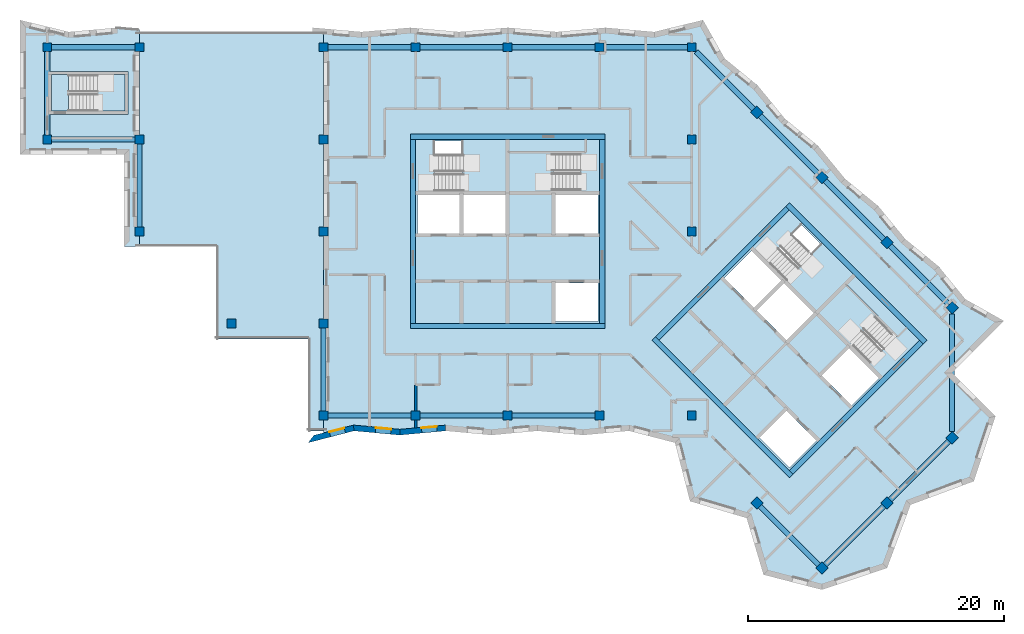
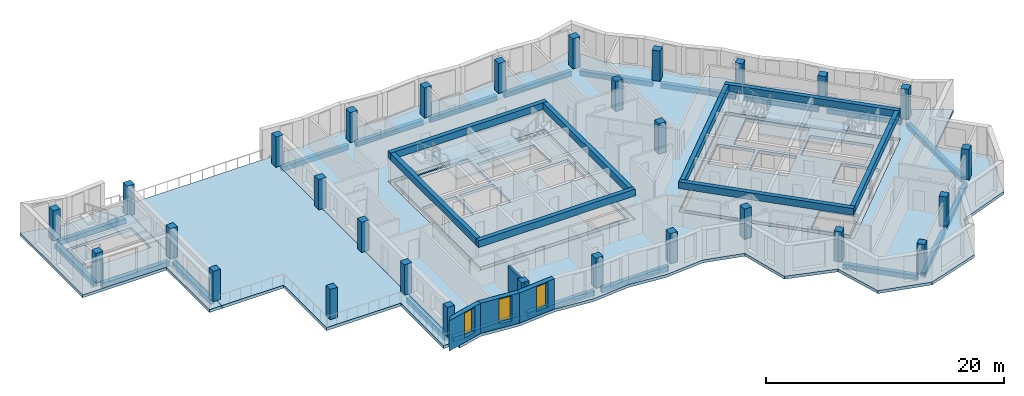
# One storey, part 1 of 12: 29 columns, 28 beams, 11 slabs, 5 walls, 3 windows, 18 openings, 5 elements without a shape of their own.
"""IFC4 building model written with IfcOpenShell, lengths in metres."""

from ifc_helpers import new_model, si_unit, direction, frame, frame_2d, origin, origin_2d, place, context, subcontext, project, spatial, polyline, rectangle, outline, extrude, material, layer, layer_set, material_profile, profile_set, type_object, element, fill, aggregate, save


model = new_model("IFC4")

# Units and contexts
model_context = context("Model", 3, precision=1e-05, world=origin(), true_north=direction((0.0, 1.0)))
body_context = subcontext(model_context, "Body", "Model", "MODEL_VIEW")
ifc_project = project(units=[si_unit("LENGTHUNIT", "METRE"), si_unit("AREAUNIT", "SQUARE_METRE"), si_unit("VOLUMEUNIT", "CUBIC_METRE"), si_unit("PLANEANGLEUNIT", "RADIAN"), si_unit("MASSUNIT", "GRAM", prefix="KILO")], contexts=[model_context])

# Site, building, storey
site_placement = place(None, origin())
site = spatial("IfcSite", under=ifc_project, at=site_placement, CompositionType="ELEMENT")
building_placement = place(site_placement, origin())
building = spatial("IfcBuilding", under=site, at=building_placement, Name="Windrow Commons", CompositionType="ELEMENT")
storey_placement = place(building_placement, frame((0.0, 0.0, 247.2)))
storey = spatial("IfcBuildingStorey", under=building, at=storey_placement, Name="L67", CompositionType="ELEMENT", Elevation=247.2)

# Columns
ifc_material_1 = material(Name="Concrete C40/50", Category="concrete")
ifc_material_profile_1 = material_profile(ifc_material_1, rectangle(XDim=0.7, YDim=0.7, at=origin_2d()))
ifc_profile_set_1 = profile_set([ifc_material_profile_1], Name="Concrete C40/50")
column_type = type_object("IfcColumnType", Name="RC COLUMN 700x700 C40/50", PredefinedType="COLUMN", material=ifc_profile_set_1)
for number, where, z_axis, x_axis, name in (
    (1, (28.8, 64.8, 0.0), (0.0, 0.0, 1.0), (1.0, 0.0, 0.0), "C-Z5-05I"),
    (2, (28.8, 72.0, 0.0), (0.0, 0.0, 1.0), (1.0, 0.0, 0.0), "C-Z5-05J"),
    (3, (36.0, 57.6, 0.0), (0.0, 0.0, 1.0), (1.0, 0.0, 0.0), "C-Z5-06H"),
    (4, (36.0, 64.8, 0.0), (0.0, 0.0, 1.0), (1.0, 0.0, 0.0), "C-Z5-06I"),
    (5, (36.0, 72.0, 0.0), (0.0, 0.0, 1.0), (1.0, 0.0, 0.0), "C-Z5-06J"),
    (6, (50.4, 43.2, 0.0), (0.0, 0.0, 1.0), (1.0, 0.0, 0.0), "C-Z5-08F"),
    (7, (50.4, 50.4, 0.0), (0.0, 0.0, 1.0), (1.0, 0.0, 0.0), "C-Z5-08G"),
    (8, (50.4, 57.6, 0.0), (0.0, 0.0, 1.0), (1.0, 0.0, 0.0), "C-Z5-08H"),
    (9, (50.4, 64.8, 0.0), (0.0, 0.0, 1.0), (1.0, 0.0, 0.0), "C-Z5-08I"),
    (10, (50.4, 72.0, 0.0), (0.0, 0.0, 1.0), (1.0, 0.0, 0.0), "C-Z5-08J"),
    (11, (57.6, 43.2, 0.0), (0.0, 0.0, 1.0), (1.0, 0.0, 0.0), "C-Z5-09F"),
    (12, (57.6, 72.0, 0.0), (0.0, 0.0, 1.0), (1.0, 0.0, 0.0), "C-Z5-09J"),
    (13, (64.8, 43.2, 0.0), (0.0, 0.0, 1.0), (1.0, 0.0, 0.0), "C-Z5-10F"),
    (14, (64.8, 72.0, 0.0), (0.0, 0.0, 1.0), (1.0, 0.0, 0.0), "C-Z5-10J"),
    (15, (72.0, 43.2, 0.0), (0.0, 0.0, 1.0), (1.0, 0.0, 0.0), "C-Z5-11F"),
    (16, (72.0, 72.0, 0.0), (0.0, 0.0, 1.0), (1.0, 0.0, 0.0), "C-Z5-11J"),
    (17, (79.2, 43.2, 0.0), (0.0, 0.0, 1.0), (1.0, 0.0, 0.0), "C-Z5-12F"),
    (18, (79.2, 57.6, 0.0), (0.0, 0.0, 1.0), (1.0, 0.0, 0.0), "C-Z5-12H"),
    (19, (79.2, 64.8, 0.0), (0.0, 0.0, 1.0), (1.0, 0.0, 0.0), "C-Z5-12I"),
    (20, (79.2, 72.0, 0.0), (0.0, 0.0, 1.0), (1.0, 0.0, 0.0), "C-Z5-12J"),
    (21, (84.2912, 66.9088, 0.0), (0.0, 0.0, 1.0), (0.7071067812, -0.7071067812, 0.0), "C-Z5-P2Q"),
    (22, (89.3823, 61.8177, 0.0), (0.0, 0.0, 1.0), (0.7071067812, -0.7071067812, 0.0), "C-Z5-P3Q"),
    (23, (94.4735, 56.7265, 0.0), (0.0, 0.0, 1.0), (0.7071067812, -0.7071067812, 0.0), "C-Z5-P4Q"),
    (24, (99.5647, 51.6353, 0.0), (0.0, 0.0, 1.0), (0.7071067812, -0.7071067812, 0.0), "C-Z5-P5Q"),
    (25, (84.2912, 36.3618, 0.0), (0.0, 0.0, 1.0), (0.7071067812, -0.7071067812, 0.0), "C-Z5-P5T"),
    (26, (99.5647, 41.453, 0.0), (0.0, 0.0, 1.0), (0.7071067812, -0.7071067812, 0.0), "C-Z5-P6R"),
    (27, (94.4735, 36.3618, 0.0), (0.0, 0.0, 1.0), (0.7071067812, -0.7071067812, 0.0), "C-Z5-P6S"),
    (28, (89.3823, 31.2706, 0.0), (0.0, 0.0, 1.0), (0.7071067812, -0.7071067812, 0.0), "C-Z5-P6T"),
    (29, (43.2, 50.4, 0.0), (0.0, 0.0, 1.0), (1.0, 0.0, 0.0), "C-Z5-07G"),
):
    element("IfcColumn", number, at=place(storey_placement, frame(where, z_axis=z_axis, x_axis=x_axis)), inside=storey, type_object=column_type, Name=name, PredefinedType="COLUMN", context=body_context, shape_type="SweptSolid", body=[
        extrude(rectangle(XDim=0.7, YDim=0.7, at=origin_2d()), origin(), (0.0, 0.0, 1.0), 3.1),
    ])

# Beams
ifc_material_2 = material(Name="Concrete C40/50", Category="concrete")
ifc_material_profile_2 = material_profile(ifc_material_2, rectangle(XDim=0.4, YDim=0.7, at=origin_2d()))
ifc_profile_set_2 = profile_set([ifc_material_profile_2], Name="Concrete C40/50")
beam_type_1 = type_object("IfcBeamType", Name="RC COUPLING BEAM 400x700 C40/50", PredefinedType="LINTEL", material=ifc_profile_set_2)
for number, where, z_axis, x_axis, name in (
    (30, (57.2, 50.2, 2.75), (1.0, 0.0, 0.0), (0.0, 1.0, 0.0), "Core A coupling beam outer-S"),
    (31, (57.2, 65.0, 2.75), (1.0, 0.0, 0.0), (0.0, 1.0, 0.0), "Core A coupling beam outer-N"),
):
    element("IfcBeam", number, at=place(storey_placement, frame(where, z_axis=z_axis, x_axis=x_axis)), inside=storey, type_object=beam_type_1, Name=name, PredefinedType="LINTEL", context=body_context, shape_type="SweptSolid", body=[
        extrude(rectangle(XDim=0.4, YDim=0.7, at=origin_2d()), origin(), (0.0, 0.0, 1.0), 15.2),
    ])
for number, where, z_axis, x_axis, name in (
    (32, (57.4, 50.4, 2.75), (0.0, 1.0, 0.0), (-1.0, 0.0, 0.0), "Core A coupling beam outer-W"),
    (33, (72.2, 50.4, 2.75), (0.0, 1.0, 0.0), (-1.0, 0.0, 0.0), "Core A coupling beam outer-E"),
):
    element("IfcBeam", number, at=place(storey_placement, frame(where, z_axis=z_axis, x_axis=x_axis)), inside=storey, type_object=beam_type_1, Name=name, PredefinedType="LINTEL", context=body_context, shape_type="SweptSolid", body=[
        extrude(rectangle(XDim=0.4, YDim=0.7, at=origin_2d()), origin(), (0.0, 0.0, 1.0), 14.4),
    ])
for number, where, z_axis, x_axis, name in (
    (34, (76.2302, 49.2312, 2.75), (0.7071034917, -0.7071100706, 0.0), (0.7071100706, 0.7071034917, 0.0), "Core B coupling beam outer-S"),
    (35, (86.6953, 59.6963, 2.75), (0.7071100706, -0.7071034917, 0.0), (0.7071034917, 0.7071100706, 0.0), "Core B coupling beam outer-N"),
):
    element("IfcBeam", number, at=place(storey_placement, frame(where, z_axis=z_axis, x_axis=x_axis)), inside=storey, type_object=beam_type_1, Name=name, PredefinedType="LINTEL", context=body_context, shape_type="SweptSolid", body=[
        extrude(rectangle(XDim=0.4, YDim=0.7, at=origin_2d()), origin(), (0.0, 0.0, 1.0), 15.2),
    ])
for number, where, z_axis, x_axis, name in (
    (36, (76.513, 49.2312, 2.75), (0.7071067812, 0.7071067812, 0.0), (-0.7071067812, 0.7071067812, 0.0), "Core B coupling beam outer-W"),
    (37, (86.9782, 38.766, 2.75), (0.7071067812, 0.7071067812, 0.0), (-0.7071067812, 0.7071067812, 0.0), "Core B coupling beam outer-E"),
):
    element("IfcBeam", number, at=place(storey_placement, frame(where, z_axis=z_axis, x_axis=x_axis)), inside=storey, type_object=beam_type_1, Name=name, PredefinedType="LINTEL", context=body_context, shape_type="SweptSolid", body=[
        extrude(rectangle(XDim=0.4, YDim=0.7, at=origin_2d()), origin(), (0.0, 0.0, 1.0), 14.3999),
    ])
ifc_material_3 = material(Name="Concrete C40/50", Category="concrete")
ifc_material_profile_3 = material_profile(ifc_material_3, rectangle(XDim=0.4, YDim=0.5, at=origin_2d()))
ifc_profile_set_3 = profile_set([ifc_material_profile_3], Name="Concrete C40/50")
beam_type_2 = type_object("IfcBeamType", Name="RC EDGE BEAM 400x500 C40/50", PredefinedType="SPANDREL", material=ifc_profile_set_3)
for number, where, z_axis, x_axis, name in (
    (38, (57.25, 43.2, -0.55), (-1.0, 0.0, 0.0), (0.0, -1.0, 0.0), "Edge beam L67 001"),
    (39, (50.4, 43.55, -0.55), (0.0, 1.0, 0.0), (-1.0, 0.0, 0.0), "Edge beam L67 002"),
    (40, (36.0, 57.95, -0.55), (0.0, 1.0, 0.0), (-1.0, 0.0, 0.0), "Edge beam L67 003"),
    (41, (35.65, 64.8, -0.55), (-1.0, 0.0, 0.0), (0.0, -1.0, 0.0), "Edge beam L67 004"),
    (42, (28.8, 65.15, -0.55), (0.0, 1.0, 0.0), (-1.0, 0.0, 0.0), "Edge beam L67 005"),
    (43, (29.15, 72.0, -0.55), (1.0, 0.0, 0.0), (0.0, 1.0, 0.0), "Edge beam L67 006"),
    (44, (50.75, 72.0, -0.55), (1.0, 0.0, 0.0), (0.0, 1.0, 0.0), "Edge beam L67 007"),
    (45, (57.95, 72.0, -0.55), (1.0, 0.0, 0.0), (0.0, 1.0, 0.0), "Edge beam L67 008"),
    (46, (65.15, 72.0, -0.55), (1.0, 0.0, 0.0), (0.0, 1.0, 0.0), "Edge beam L67 009"),
    (47, (72.35, 72.0, -0.55), (1.0, 0.0, 0.0), (0.0, 1.0, 0.0), "Edge beam L67 010"),
):
    element("IfcBeam", number, at=place(storey_placement, frame(where, z_axis=z_axis, x_axis=x_axis)), inside=storey, type_object=beam_type_2, Name=name, PredefinedType="SPANDREL", context=body_context, shape_type="SweptSolid", body=[
        extrude(rectangle(XDim=0.4, YDim=0.5, at=origin_2d()), origin(), (0.0, 0.0, 1.0), 6.5),
    ])
beam_1_placement = place(storey_placement, frame((79.55, 71.65, -0.55), z_axis=(0.7071067812, -0.7071067812, 0.0), x_axis=(0.7071067812, 0.7071067812, 0.0)))
element("IfcBeam", 48, at=beam_1_placement, inside=storey, type_object=beam_type_2, Name="Edge beam L67 011", PredefinedType="SPANDREL", context=body_context, shape_type="SweptSolid", body=[
    extrude(rectangle(XDim=0.4, YDim=0.5, at=origin_2d()), origin(), (0.0, 0.0, 1.0), 6.3551),
])
beam_2_placement = place(storey_placement, frame((84.5387, 66.6613, -0.55), z_axis=(0.7071067812, -0.7071067812, 0.0), x_axis=(0.7071067812, 0.7071067812, 0.0)))
element("IfcBeam", 49, at=beam_2_placement, inside=storey, type_object=beam_type_2, Name="Edge beam L67 012", PredefinedType="SPANDREL", context=body_context, shape_type="SweptSolid", body=[
    extrude(rectangle(XDim=0.4, YDim=0.5, at=origin_2d()), origin(), (0.0, 0.0, 1.0), 6.4999),
])
for number, where, z_axis, x_axis, name in (
    (50, (89.6298, 61.5702, -0.55), (0.7071067812, -0.7071067812, 0.0), (0.7071067812, 0.7071067812, 0.0), "Edge beam L67 013"),
    (51, (94.721, 56.479, -0.55), (0.7071067812, -0.7071067812, 0.0), (0.7071067812, 0.7071067812, 0.0), "Edge beam L67 014"),
):
    element("IfcBeam", number, at=place(storey_placement, frame(where, z_axis=z_axis, x_axis=x_axis)), inside=storey, type_object=beam_type_2, Name=name, PredefinedType="SPANDREL", context=body_context, shape_type="SweptSolid", body=[
        extrude(rectangle(XDim=0.4, YDim=0.5, at=origin_2d()), origin(), (0.0, 0.0, 1.0), 6.5),
    ])
beam_3_placement = place(storey_placement, frame((99.5647, 51.1403, -0.55), z_axis=(0.0, -1.0, 0.0), x_axis=(1.0, 0.0, 0.0)))
element("IfcBeam", 52, at=beam_3_placement, inside=storey, type_object=beam_type_2, Name="Edge beam L67 015", PredefinedType="SPANDREL", context=body_context, shape_type="SweptSolid", body=[
    extrude(rectangle(XDim=0.4, YDim=0.5, at=origin_2d()), origin(), (0.0, 0.0, 1.0), 9.1923),
])
for number, where, z_axis, x_axis, name in (
    (53, (99.3172, 41.2055, -0.55), (-0.7071067812, -0.7071067812, 0.0), (0.7071067812, -0.7071067812, 0.0), "Edge beam L67 016"),
    (54, (94.226, 36.1143, -0.55), (-0.7071067812, -0.7071067812, 0.0), (0.7071067812, -0.7071067812, 0.0), "Edge beam L67 017"),
):
    element("IfcBeam", number, at=place(storey_placement, frame(where, z_axis=z_axis, x_axis=x_axis)), inside=storey, type_object=beam_type_2, Name=name, PredefinedType="SPANDREL", context=body_context, shape_type="SweptSolid", body=[
        extrude(rectangle(XDim=0.4, YDim=0.5, at=origin_2d()), origin(), (0.0, 0.0, 1.0), 6.5),
    ])
beam_4_placement = place(storey_placement, frame((89.1348, 31.5181, -0.55), z_axis=(-0.7070990888, 0.7071144735, 0.0), x_axis=(-0.7071144735, -0.7070990888, 0.0)))
element("IfcBeam", 55, at=beam_4_placement, inside=storey, type_object=beam_type_2, Name="Edge beam L67 018", PredefinedType="SPANDREL", context=body_context, shape_type="SweptSolid", body=[
    extrude(rectangle(XDim=0.4, YDim=0.5, at=origin_2d()), origin(), (0.0, 0.0, 1.0), 6.4999),
])
for number, where, z_axis, x_axis, name in (
    (56, (71.65, 43.2, -0.55), (-1.0, 0.0, 0.0), (0.0, -1.0, 0.0), "Edge beam L67 019"),
    (57, (64.45, 43.2, -0.55), (-1.0, 0.0, 0.0), (0.0, -1.0, 0.0), "Edge beam L67 020"),
):
    element("IfcBeam", number, at=place(storey_placement, frame(where, z_axis=z_axis, x_axis=x_axis)), inside=storey, type_object=beam_type_2, Name=name, PredefinedType="SPANDREL", context=body_context, shape_type="SweptSolid", body=[
        extrude(rectangle(XDim=0.4, YDim=0.5, at=origin_2d()), origin(), (0.0, 0.0, 1.0), 6.5),
    ])

# Slab, openings
ifc_material_4 = material(Name="Concrete C40/50", Category="concrete")
ifc_layer_1 = layer(ifc_material_4, 0.3)
ifc_layer_set_1 = layer_set([ifc_layer_1], Name="CORE FLOOR SLAB 300 C40/50")
slab_type_1 = type_object("IfcSlabType", Name="CORE FLOOR SLAB 300 C40/50", PredefinedType="FLOOR", material=ifc_layer_set_1)
placement_1 = place(storey_placement, frame((0.0, 0.0, -0.3)))
slab_1 = element("IfcSlab", 58, at=placement_1, inside=storey, type_object=slab_type_1, Name="S-L67-core-A", PredefinedType="FLOOR", context=body_context, shape_type="SweptSolid", body=[
    extrude(outline(polyline([(57.6, 50.4), (72.0, 50.4), (72.0, 64.8), (57.6, 64.8), (57.6, 50.4)]), holes=[polyline([(68.55, 50.55), (71.85, 50.55), (71.85, 53.55), (68.55, 53.55), (68.55, 50.55)]), polyline([(57.75, 57.45), (61.05, 57.45), (61.05, 60.45), (57.75, 60.45), (57.75, 57.45)]), polyline([(61.35, 57.45), (64.65, 57.45), (64.65, 60.45), (61.35, 60.45), (61.35, 57.45)]), polyline([(68.55, 57.45), (71.85, 57.45), (71.85, 60.45), (68.55, 60.45), (68.55, 57.45)]), polyline([(59.1, 60.75), (64.65, 60.75), (64.65, 64.65), (59.1, 64.65), (59.1, 60.75)]), polyline([(64.95, 60.75), (70.5, 60.75), (70.5, 63.705), (64.95, 63.705), (64.95, 60.75)])]), origin(), (0.0, 0.0, 1.0), 0.3),
])
opening_1_placement = place(placement_1, origin())
element("IfcOpeningElement", 59, at=opening_1_placement, cuts=slab_1, Name="Slab opening S-L67-core-A 1", PredefinedType="OPENING", context=body_context, shape_type="SweptSolid", body=[
    extrude(outline(polyline([(68.555, 50.555), (68.555, 53.545), (71.845, 53.545), (71.845, 50.555), (68.555, 50.555)])), origin(), (0.0, 0.0, 1.0), 0.3),
])
opening_2_placement = place(placement_1, origin())
element("IfcOpeningElement", 60, at=opening_2_placement, cuts=slab_1, Name="Slab opening S-L67-core-A 2", PredefinedType="OPENING", context=body_context, shape_type="SweptSolid", body=[
    extrude(outline(polyline([(57.755, 57.455), (57.755, 60.445), (61.045, 60.445), (61.045, 57.455), (57.755, 57.455)])), origin(), (0.0, 0.0, 1.0), 0.3),
])
opening_3_placement = place(placement_1, origin())
element("IfcOpeningElement", 61, at=opening_3_placement, cuts=slab_1, Name="Slab opening S-L67-core-A 3", PredefinedType="OPENING", context=body_context, shape_type="SweptSolid", body=[
    extrude(outline(polyline([(61.355, 57.455), (61.355, 60.445), (64.645, 60.445), (64.645, 57.455), (61.355, 57.455)])), origin(), (0.0, 0.0, 1.0), 0.3),
])
opening_4_placement = place(placement_1, origin())
element("IfcOpeningElement", 62, at=opening_4_placement, cuts=slab_1, Name="Slab opening S-L67-core-A 4", PredefinedType="OPENING", context=body_context, shape_type="SweptSolid", body=[
    extrude(outline(polyline([(68.555, 57.455), (68.555, 60.445), (71.845, 60.445), (71.845, 57.455), (68.555, 57.455)])), origin(), (0.0, 0.0, 1.0), 0.3),
])
opening_5_placement = place(placement_1, origin())
element("IfcOpeningElement", 63, at=opening_5_placement, cuts=slab_1, Name="Slab opening S-L67-core-A 5", PredefinedType="OPENING", context=body_context, shape_type="SweptSolid", body=[
    extrude(outline(polyline([(59.105, 60.755), (59.105, 64.645), (64.645, 64.645), (64.645, 60.755), (59.105, 60.755)])), origin(), (0.0, 0.0, 1.0), 0.3),
])
opening_6_placement = place(placement_1, origin())
element("IfcOpeningElement", 64, at=opening_6_placement, cuts=slab_1, Name="Slab opening S-L67-core-A 6", PredefinedType="OPENING", context=body_context, shape_type="SweptSolid", body=[
    extrude(outline(polyline([(64.955, 60.755), (64.955, 63.7), (70.495, 63.7), (70.495, 60.755), (64.955, 60.755)])), origin(), (0.0, 0.0, 1.0), 0.3),
])

slab_2 = element("IfcSlab", 65, at=placement_1, inside=storey, type_object=slab_type_1, Name="S-L67-core-B", PredefinedType="FLOOR", context=body_context, shape_type="SweptSolid", body=[
    extrude(outline(polyline([(76.6544, 49.0897), (86.8368, 38.9074), (97.0191, 49.0897), (86.8368, 59.2721), (76.6544, 49.0897)]), holes=[polyline([(84.5033, 41.453), (86.8368, 39.1195), (88.9581, 41.2409), (86.6246, 43.5743), (84.5033, 41.453)]), polyline([(81.7456, 53.9688), (84.079, 51.6353), (86.2004, 53.7566), (83.8669, 56.0901), (81.7456, 53.9688)]), polyline([(84.2912, 51.4232), (86.6246, 49.0897), (88.7459, 51.2111), (86.4125, 53.5445), (84.2912, 51.4232)]), polyline([(89.3823, 46.332), (91.7158, 43.9986), (93.8371, 46.1199), (91.5037, 48.4533), (89.3823, 46.332)]), polyline([(85.0336, 55.3476), (88.9581, 51.4232), (91.7158, 54.1809), (87.7913, 58.1054), (85.0336, 55.3476)]), polyline([(89.1702, 51.2111), (93.0946, 47.2866), (95.1841, 49.3761), (91.2597, 53.3006), (89.1702, 51.2111)])]), origin(), (0.0, 0.0, 1.0), 0.3),
])
opening_7_placement = place(placement_1, origin())
element("IfcOpeningElement", 66, at=opening_7_placement, cuts=slab_2, Name="Slab opening S-L67-core-B 1", PredefinedType="OPENING", context=body_context, shape_type="SweptSolid", body=[
    extrude(outline(polyline([(84.5104, 41.453), (86.6246, 43.5672), (88.951, 41.2409), (86.8368, 39.1266), (84.5104, 41.453)])), origin(), (0.0, 0.0, 1.0), 0.3),
])
opening_8_placement = place(placement_1, origin())
element("IfcOpeningElement", 67, at=opening_8_placement, cuts=slab_2, Name="Slab opening S-L67-core-B 2", PredefinedType="OPENING", context=body_context, shape_type="SweptSolid", body=[
    extrude(outline(polyline([(81.7527, 53.9688), (83.8669, 56.083), (86.1933, 53.7566), (84.079, 51.6424), (81.7527, 53.9688)])), origin(), (0.0, 0.0, 1.0), 0.3),
])
opening_9_placement = place(placement_1, origin())
element("IfcOpeningElement", 68, at=opening_9_placement, cuts=slab_2, Name="Slab opening S-L67-core-B 3", PredefinedType="OPENING", context=body_context, shape_type="SweptSolid", body=[
    extrude(outline(polyline([(84.2983, 51.4232), (86.4125, 53.5374), (88.7388, 51.2111), (86.6246, 49.0968), (84.2983, 51.4232)])), origin(), (0.0, 0.0, 1.0), 0.3),
])
opening_10_placement = place(placement_1, origin())
element("IfcOpeningElement", 69, at=opening_10_placement, cuts=slab_2, Name="Slab opening S-L67-core-B 4", PredefinedType="OPENING", context=body_context, shape_type="SweptSolid", body=[
    extrude(outline(polyline([(89.3894, 46.332), (91.5037, 48.4462), (93.83, 46.1199), (91.7158, 44.0057), (89.3894, 46.332)])), origin(), (0.0, 0.0, 1.0), 0.3),
])
opening_11_placement = place(placement_1, origin())
element("IfcOpeningElement", 70, at=opening_11_placement, cuts=slab_2, Name="Slab opening S-L67-core-B 5", PredefinedType="OPENING", context=body_context, shape_type="SweptSolid", body=[
    extrude(outline(polyline([(85.0407, 55.3476), (87.7913, 58.0983), (91.7087, 54.1809), (88.9581, 51.4303), (85.0407, 55.3476)])), origin(), (0.0, 0.0, 1.0), 0.3),
])
opening_12_placement = place(placement_1, origin())
element("IfcOpeningElement", 71, at=opening_12_placement, cuts=slab_2, Name="Slab opening S-L67-core-B 6", PredefinedType="OPENING", context=body_context, shape_type="SweptSolid", body=[
    extrude(outline(polyline([(89.1773, 51.2111), (91.2597, 53.2935), (95.177, 49.3761), (93.0946, 47.2937), (89.1773, 51.2111)])), origin(), (0.0, 0.0, 1.0), 0.3),
])

# Slab
element("IfcSlab", 72, at=placement_1, inside=storey, type_object=slab_type_1, Name="S-L67-stub-stair", PredefinedType="FLOOR", context=body_context, shape_type="SweptSolid", body=[
    extrude(outline(polyline([(29.125, 67.0), (30.475, 67.0), (30.475, 69.85), (29.125, 69.85), (29.125, 67.0)])), origin(), (0.0, 0.0, 1.0), 0.3),
])

# Stair, slab
ifc_material_5 = material(Name="Concrete C40/50", Category="concrete")
stair_type = type_object("IfcStairType", Name="Core stair", PredefinedType="HALF_TURN_STAIR", material=ifc_material_5)
placement_2 = place(storey_placement, origin())
stair_1 = element("IfcStair", 73, at=placement_2, inside=storey, type_object=stair_type, Name="L67 Exit stair A1 core A", PredefinedType="HALF_TURN_STAIR")
ifc_material_6 = material(Name="Concrete C40/50", Category="concrete")
ifc_layer_2 = layer(ifc_material_6, 0.2)
ifc_layer_set_2 = layer_set([ifc_layer_2], Name="Core stair landing")
slab_type_2 = type_object("IfcSlabType", Name="Core stair landing", PredefinedType="LANDING", material=ifc_layer_set_2)
placement_3 = place(storey_placement, frame((0.0, 0.0, 1.5)))
slab_4 = element("IfcSlab", 74, at=placement_3, type_object=slab_type_2, Name="ST-A1 landing 1", PredefinedType="LANDING", context=body_context, shape_type="SweptSolid", body=[
    extrude(outline(polyline([(61.22, 60.5), (64.8, 60.5), (64.8, 64.9), (61.22, 64.9), (61.22, 60.5)])), origin(), (0.0, 0.0, 1.0), 0.2),
])
aggregate(stair_1, [slab_4])

stair_2 = element("IfcStair", 75, at=placement_2, inside=storey, type_object=stair_type, Name="L67 Exit stair A2 core A", PredefinedType="HALF_TURN_STAIR")
slab_5 = element("IfcSlab", 76, at=placement_3, type_object=slab_type_2, Name="ST-A2 landing 1", PredefinedType="LANDING", context=body_context, shape_type="SweptSolid", body=[
    extrude(outline(polyline([(64.8, 60.5), (68.38, 60.5), (68.38, 63.855), (64.8, 63.855), (64.8, 60.5)])), origin(), (0.0, 0.0, 1.0), 0.2),
])
aggregate(stair_2, [slab_5])

stair_3 = element("IfcStair", 77, at=placement_2, inside=storey, type_object=stair_type, Name="L67 Exit stair B1 core B", PredefinedType="HALF_TURN_STAIR")
slab_6 = element("IfcSlab", 78, at=placement_3, type_object=slab_type_2, Name="ST-B1 landing 1", PredefinedType="LANDING", context=body_context, shape_type="SweptSolid", body=[
    extrude(outline(polyline([(86.3559, 53.6718), (88.8874, 51.1403), (91.9986, 54.2516), (89.4672, 56.7831), (86.3559, 53.6718)])), origin(), (0.0, 0.0, 1.0), 0.2),
])
aggregate(stair_3, [slab_6])

stair_4 = element("IfcStair", 79, at=placement_2, inside=storey, type_object=stair_type, Name="L67 Exit stair B2 core B", PredefinedType="HALF_TURN_STAIR")
slab_7 = element("IfcSlab", 80, at=placement_3, type_object=slab_type_2, Name="ST-B2 landing 1", PredefinedType="LANDING", context=body_context, shape_type="SweptSolid", body=[
    extrude(outline(polyline([(88.8874, 51.1403), (91.4188, 48.6089), (93.7911, 50.9812), (91.2597, 53.5127), (88.8874, 51.1403)])), origin(), (0.0, 0.0, 1.0), 0.2),
])
aggregate(stair_4, [slab_7])

stair_5 = element("IfcStair", 81, at=placement_2, inside=storey, type_object=stair_type, Name="L67 Exit stair W", PredefinedType="HALF_TURN_STAIR")
slab_8 = element("IfcSlab", 82, at=placement_3, type_object=slab_type_2, Name="ST-W landing 1", PredefinedType="LANDING", context=body_context, shape_type="SweptSolid", body=[
    extrude(outline(polyline([(32.715, 67.0), (34.875, 67.0), (34.875, 69.85), (32.715, 69.85), (32.715, 67.0)])), origin(), (0.0, 0.0, 1.0), 0.2),
])
aggregate(stair_5, [slab_8])

# Slab, opening
ifc_material_7 = material(Name="Concrete C40/50", Category="concrete")
ifc_layer_3 = layer(ifc_material_7, 0.3)
ifc_layer_set_3 = layer_set([ifc_layer_3], Name="FLOOR SLAB 300 C40/50")
slab_type_3 = type_object("IfcSlabType", Name="FLOOR SLAB 300 C40/50", PredefinedType="FLOOR", material=ifc_layer_set_3)
slab_9 = element("IfcSlab", 83, at=placement_1, inside=storey, type_object=slab_type_3, Name="S-L67-floor-1", PredefinedType="FLOOR", context=body_context, shape_type="SweptSolid", body=[
    extrude(outline(polyline([(36.0, 73.201), (36.0, 73.383), (34.3003, 73.53), (30.4852, 73.2), (26.67, 74.13), (26.67, 63.6), (34.8, 63.6), (34.8, 56.4), (36.0, 56.4), (36.0, 73.201)]), holes=[polyline([(35.125, 66.75), (28.875, 66.75), (28.875, 70.1), (35.125, 70.1), (35.125, 66.75)])]), origin(), (0.0, 0.0, 1.0), 0.3),
])
opening_13_placement = place(placement_1, origin())
element("IfcOpeningElement", 84, at=opening_13_placement, cuts=slab_9, Name="Slab opening S-L67-floor-1 1", PredefinedType="OPENING", context=body_context, shape_type="SweptSolid", body=[
    extrude(outline(polyline([(35.12, 66.755), (28.88, 66.755), (28.88, 70.095), (35.12, 70.095), (35.12, 66.755)])), origin(), (0.0, 0.0, 1.0), 0.3),
])

# Slab, openings
slab_10 = element("IfcSlab", 85, at=placement_1, inside=storey, type_object=slab_type_3, Name="S-L67-floor-2", PredefinedType="FLOOR", context=body_context, shape_type="SweptSolid", body=[
    extrude(outline(polyline([(50.4, 73.4574), (50.4, 73.201), (50.4, 73.201), (50.4, 41.999), (50.4, 41.3812), (52.7857, 42.0), (56.3715, 41.67), (59.9572, 42.0), (63.5429, 41.67), (67.1287, 42.0), (70.7144, 41.67), (74.3002, 42.0), (77.8859, 41.07), (79.0629, 36.4988), (83.4927, 35.1804), (84.8111, 30.7506), (89.3823, 29.5736), (94.4735, 31.2706), (96.312, 36.2204), (101.2617, 38.0588), (102.9588, 43.15), (99.5647, 46.5442), (103.6164, 50.5959), (100.6054, 52.2917), (98.4853, 54.8785), (95.8986, 56.9985), (93.7785, 59.5853), (91.1918, 61.7053), (89.0717, 64.2921), (86.4849, 66.4122), (84.3649, 68.9989), (81.7781, 71.119), (80.0823, 74.13), (76.2672, 73.2), (72.452, 73.53), (68.6368, 73.2), (64.8217, 73.53), (61.0065, 73.2), (57.1913, 73.53), (53.3762, 73.2), (50.4, 73.4574)]), holes=[polyline([(86.8368, 38.3417), (76.0887, 49.0897), (86.8368, 59.8378), (97.5848, 49.0897), (86.8368, 38.3417)]), polyline([(57.2, 50.0), (57.2, 65.2), (72.4, 65.2), (72.4, 50.0), (57.2, 50.0)])]), origin(), (0.0, 0.0, 1.0), 0.3),
])
opening_14_placement = place(placement_1, origin())
element("IfcOpeningElement", 86, at=opening_14_placement, cuts=slab_10, Name="Slab opening S-L67-floor-2 1", PredefinedType="OPENING", context=body_context, shape_type="SweptSolid", body=[
    extrude(outline(polyline([(86.8368, 38.3488), (76.0958, 49.0897), (86.8368, 59.8307), (97.5777, 49.0897), (86.8368, 38.3488)])), origin(), (0.0, 0.0, 1.0), 0.3),
])
opening_15_placement = place(placement_1, origin())
element("IfcOpeningElement", 87, at=opening_15_placement, cuts=slab_10, Name="Slab opening S-L67-floor-2 2", PredefinedType="OPENING", context=body_context, shape_type="SweptSolid", body=[
    extrude(outline(polyline([(57.205, 50.005), (57.205, 65.195), (72.395, 65.195), (72.395, 50.005), (57.205, 50.005)])), origin(), (0.0, 0.0, 1.0), 0.3),
])

# Slab
ifc_material_8 = material(Name="Concrete C40/50", Category="concrete")
ifc_layer_4 = layer(ifc_material_8, 0.3)
ifc_layer_set_4 = layer_set([ifc_layer_4], Name="TERRACE SLAB 300 C40/50")
slab_type_4 = type_object("IfcSlabType", Name="TERRACE SLAB 300 C40/50", PredefinedType="FLOOR", material=ifc_layer_set_4)
element("IfcSlab", 88, at=placement_1, inside=storey, type_object=slab_type_4, Name="Portal terrace deck L67", PredefinedType="FLOOR", context=body_context, shape_type="SweptSolid", body=[
    extrude(outline(polyline([(45.7574, 73.201), (45.7542, 73.2007), (45.7458, 73.2), (45.7458, 73.2), (45.7458, 73.2), (45.7405, 73.2005), (45.7343, 73.201), (38.1271, 73.201), (38.1155, 73.2), (38.1155, 73.2), (38.1155, 73.2), (38.1146, 73.2001), (38.1039, 73.201), (36.0, 73.201), (36.0, 56.4), (42.0, 56.4), (42.0, 49.2), (49.2, 49.2), (49.2, 41.999), (50.4, 41.999), (50.4, 73.201), (45.7574, 73.201)])), origin(), (0.0, 0.0, 1.0), 0.3),
])

# Wall, opening, window
ifc_material_9 = material(Name="Brick masonry, red clay brick", Category="masonry")
ifc_layer_5 = layer(ifc_material_9, 0.45)
ifc_layer_set_5 = layer_set([ifc_layer_5], Name="Brick facade wall 450")
wall_type_1 = type_object("IfcWallType", Name="Brick facade wall 450", PredefinedType="SOLIDWALL", material=ifc_layer_set_5)
wall_1_placement = place(storey_placement, frame((49.425, 41.3608, 0.0), z_axis=(0.0, 0.0, 1.0), x_axis=(0.9679703139, 0.2510646756, 0.0)))
wall_1 = element("IfcWall", 89, at=wall_1_placement, inside=storey, type_object=wall_type_1, Name="Brick facade wall L67 38", PredefinedType="SOLIDWALL", context=body_context, shape_type="SweptSolid", body=[
    extrude(outline(polyline([(-0.2908, -0.225), (3.4136, -0.225), (3.4921, 0.225), (0.2908, 0.225), (-0.2908, -0.225)])), origin(), (0.0, 0.0, 1.0), 3.1),
])
opening_16_placement = place(wall_1_placement, frame((1.5301, 0.0, 0.45)))
opening_16 = element("IfcOpeningElement", 90, at=opening_16_placement, cuts=wall_1, Name="Opening W7F", PredefinedType="OPENING", context=body_context, shape_type="SweptSolid", body=[
    extrude(rectangle(XDim=1.2, YDim=2.55, at=frame_2d((0.6, 1.275))), frame((0.0, 0.235, 0.0), z_axis=(0.0, -1.0, 0.0), x_axis=(1.0, 0.0, 0.0)), (0.0, 0.0, 1.0), 0.47),
])
ifc_material_10 = material(Name="Clear float glass in anodised aluminium frame", Category="aluminium")
window_type = type_object("IfcWindowType", Name="Window W7 notch 1200x2550", PartitioningType="SINGLE_PANEL", PredefinedType="WINDOW", material=ifc_material_10)
window_1_placement = place(opening_16_placement, origin())
window_1 = element("IfcWindow", 91, at=window_1_placement, inside=storey, type_object=window_type, Name="Window L67 38.1", OverallHeight=2.55, OverallWidth=1.2, PartitioningType="SINGLE_PANEL", PredefinedType="WINDOW", context=body_context, shape_type="SweptSolid", body=[
    extrude(rectangle(XDim=1.2, YDim=2.55, at=frame_2d((0.6, 1.275))), frame((0.0, 0.205, 0.0), z_axis=(0.0, -1.0, 0.0), x_axis=(1.0, 0.0, 0.0)), (0.0, 0.0, 1.0), 0.06),
])
fill(opening_16, window_1)

wall_2_placement = place(storey_placement, frame((52.7673, 42.2277, 0.0), z_axis=(0.0, 0.0, 1.0), x_axis=(0.9957918129, -0.0916442329, 0.0)))
wall_2 = element("IfcWall", 92, at=wall_2_placement, inside=storey, type_object=wall_type_1, Name="Brick facade wall L67 39", PredefinedType="SOLIDWALL", context=body_context, shape_type="SweptSolid", body=[
    extrude(outline(polyline([(0.0393, -0.225), (3.6402, -0.225), (3.5987, 0.225), (-0.0393, 0.225), (0.0393, -0.225)])), origin(), (0.0, 0.0, 1.0), 3.1),
])
opening_17_placement = place(wall_2_placement, frame((1.7183, 0.0, 0.45)))
opening_17 = element("IfcOpeningElement", 93, at=opening_17_placement, cuts=wall_2, Name="Opening W7F", PredefinedType="OPENING", context=body_context, shape_type="SweptSolid", body=[
    extrude(rectangle(XDim=1.2, YDim=2.55, at=frame_2d((0.6, 1.275))), frame((0.0, 0.235, 0.0), z_axis=(0.0, -1.0, 0.0), x_axis=(1.0, 0.0, 0.0)), (0.0, 0.0, 1.0), 0.47),
])
window_2_placement = place(opening_17_placement, origin())
window_2 = element("IfcWindow", 94, at=window_2_placement, inside=storey, type_object=window_type, Name="Window L67 39.1", OverallHeight=2.55, OverallWidth=1.2, PartitioningType="SINGLE_PANEL", PredefinedType="WINDOW", context=body_context, shape_type="SweptSolid", body=[
    extrude(rectangle(XDim=1.2, YDim=2.55, at=frame_2d((0.6, 1.275))), frame((0.0, 0.205, 0.0), z_axis=(0.0, -1.0, 0.0), x_axis=(1.0, 0.0, 0.0)), (0.0, 0.0, 1.0), 0.06),
])
fill(opening_17, window_2)

wall_3_placement = place(storey_placement, frame((56.3715, 41.896, 0.0), z_axis=(0.0, 0.0, 1.0), x_axis=(0.9957917474, 0.0916449443, 0.0)))
wall_3 = element("IfcWall", 95, at=wall_3_placement, inside=storey, type_object=wall_type_1, Name="Brick facade wall L67 40", PredefinedType="SOLIDWALL", context=body_context, shape_type="SweptSolid", body=[
    extrude(outline(polyline([(-0.0207, -0.225), (3.5802, -0.225), (3.6216, 0.225), (0.0207, 0.225), (-0.0207, -0.225)])), origin(), (0.0, 0.0, 1.0), 3.1),
])
opening_18_placement = place(wall_3_placement, frame((1.7173, 0.0, 0.45)))
opening_18 = element("IfcOpeningElement", 96, at=opening_18_placement, cuts=wall_3, Name="Opening W7F", PredefinedType="OPENING", context=body_context, shape_type="SweptSolid", body=[
    extrude(rectangle(XDim=1.2, YDim=2.55, at=frame_2d((0.6, 1.275))), frame((0.0, 0.235, 0.0), z_axis=(0.0, -1.0, 0.0), x_axis=(1.0, 0.0, 0.0)), (0.0, 0.0, 1.0), 0.47),
])
window_3_placement = place(opening_18_placement, origin())
window_3 = element("IfcWindow", 97, at=window_3_placement, inside=storey, type_object=window_type, Name="Window L67 40.1", OverallHeight=2.55, OverallWidth=1.2, PartitioningType="SINGLE_PANEL", PredefinedType="WINDOW", context=body_context, shape_type="SweptSolid", body=[
    extrude(rectangle(XDim=1.2, YDim=2.55, at=frame_2d((0.6, 1.275))), frame((0.0, 0.205, 0.0), z_axis=(0.0, -1.0, 0.0), x_axis=(1.0, 0.0, 0.0)), (0.0, 0.0, 1.0), 0.06),
])
fill(opening_18, window_3)

# Walls
ifc_material_11 = material(Name="Blockwork partition", Category="masonry")
ifc_layer_6 = layer(ifc_material_11, 0.2)
ifc_layer_set_6 = layer_set([ifc_layer_6], Name="IW-PARTY-200")
wall_type_2 = type_object("IfcWallType", Name="IW-PARTY-200", PredefinedType="PARTITIONING", material=ifc_layer_set_6)
wall_4_placement = place(storey_placement, frame((57.6, 43.55, 0.0), z_axis=(0.0, 0.0, 1.0), x_axis=(0.0, 1.0, 0.0)))
element("IfcWall", 98, at=wall_4_placement, inside=storey, type_object=wall_type_2, Name="W-L67-W062", PredefinedType="PARTITIONING", context=body_context, shape_type="SweptSolid", body=[
    extrude(rectangle(XDim=2.05, YDim=0.2, at=frame_2d((1.025, 0.0))), origin(), (0.0, 0.0, 1.0), 3.1),
])
wall_5_placement = place(storey_placement, frame((57.6, 42.235, 0.0), z_axis=(0.0, 0.0, 1.0), x_axis=(0.0, 1.0, 0.0)))
element("IfcWall", 99, at=wall_5_placement, inside=storey, type_object=wall_type_2, Name="W-L67-W090", PredefinedType="PARTITIONING", context=body_context, shape_type="SweptSolid", body=[
    extrude(rectangle(XDim=0.615, YDim=0.2, at=frame_2d((0.3075, 0.0))), origin(), (0.0, 0.0, 1.0), 3.1),
])

save(model, "model.ifc")
